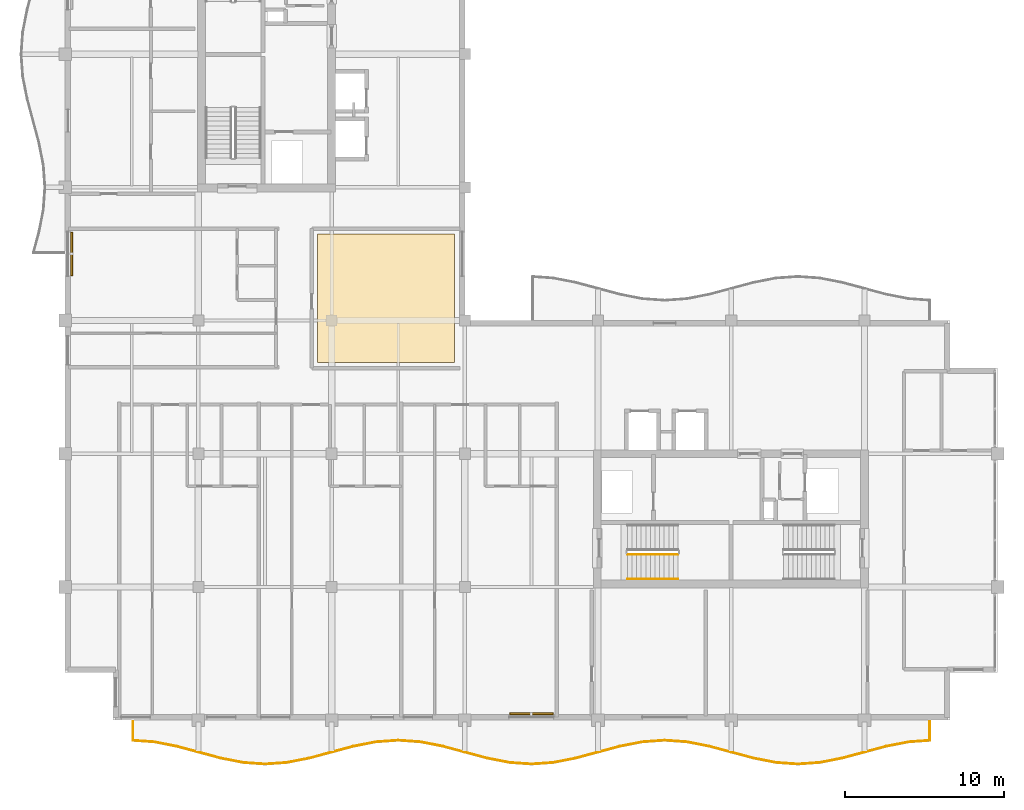
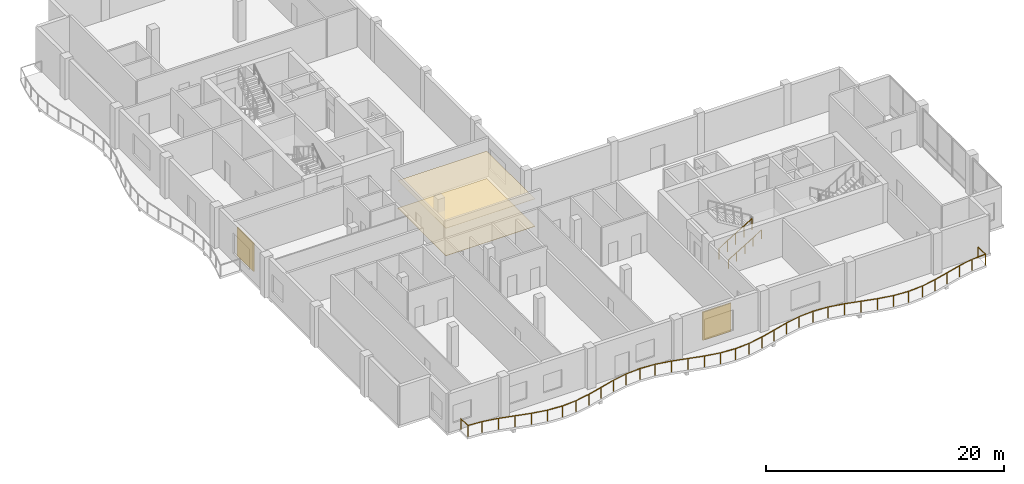
# One storey, part 13 of 16: 3 railings, 2 coverings, 2 shading devices.
"""IFC4 building model written with IfcOpenShell, lengths in metres."""

from ifc_helpers import new_model, si_unit, direction, frame, origin, origin_2d, place, context, subcontext, project, spatial, polyline, rectangle, circle, outline, extrude, material, layer, layer_set, type_object, element, save


model = new_model("IFC4")

# Units and contexts
model_context = context("Model", 3, precision=1e-05, world=origin(), true_north=direction((0.0, 1.0)))
body_context = subcontext(model_context, "Body", "Model", "MODEL_VIEW")
ifc_project = project(units=[si_unit("LENGTHUNIT", "METRE"), si_unit("AREAUNIT", "SQUARE_METRE"), si_unit("VOLUMEUNIT", "CUBIC_METRE"), si_unit("PLANEANGLEUNIT", "RADIAN"), si_unit("MASSUNIT", "GRAM", prefix="KILO")], contexts=[model_context])

# Site, building, storey
site_placement = place(None, origin())
site = spatial("IfcSite", under=ifc_project, at=site_placement, CompositionType="ELEMENT")
building_placement = place(site_placement, origin())
building = spatial("IfcBuilding", under=site, at=building_placement, Name="Koriwani Terraces Tower", CompositionType="ELEMENT")
storey_placement = place(building_placement, frame((0.0, 0.0, 355.39990234375)))
storey = spatial("IfcBuildingStorey", under=building, at=storey_placement, Name="L88", CompositionType="ELEMENT", Elevation=355.39990234375)

# Coverings
ifc_material_1 = material(Name="Fire-Rated Acoustic Gypsum Partition", Category="masonry")
ifc_layer_1 = layer(ifc_material_1, 0.02490234375, Name="Fire-Rated Acoustic Gypsum Partition")
ifc_layer_set_1 = layer_set([ifc_layer_1], Name="Fire-Rated Acoustic Gypsum Partition")
covering_type_1 = type_object("IfcCoveringType", Name="CEILING_ACOUSTIC_GYPSUM", PredefinedType="CEILING", material=ifc_layer_set_1)
covering_1_placement = place(storey_placement, frame((0.0, 0.0, 2.8251953125)))
element("IfcCovering", 1, at=covering_1_placement, inside=storey, type_object=covering_type_1, Name="L88 Suspended Acoustic Gypsum Ceiling", PredefinedType="CEILING", context=body_context, shape_type="SweptSolid", body=[
    extrude(outline(polyline([(24.300048828125, 30.949951171875), (24.300048828125, 39.050048828125), (32.949951171875, 39.050048828125), (32.949951171875, 30.949951171875), (24.300048828125, 30.949951171875)])), origin(), (0.0, 0.0, 1.0), 0.02490234375),
])
ifc_material_2 = material(Name="Polished Andean Slate Flooring", Category="masonry")
ifc_layer_2 = layer(ifc_material_2, 0.030029296875, Name="Polished Andean Slate Flooring")
ifc_layer_set_2 = layer_set([ifc_layer_2], Name="Polished Andean Slate Flooring")
covering_type_2 = type_object("IfcCoveringType", Name="FLOORING_ANDEAN_STONE", PredefinedType="FLOORING", material=ifc_layer_set_2)
covering_2_placement = place(storey_placement, origin())
element("IfcCovering", 2, at=covering_2_placement, inside=storey, type_object=covering_type_2, Name="L88 Polished Andean Slate Floor Finish", PredefinedType="FLOORING", context=body_context, shape_type="SweptSolid", body=[
    extrude(outline(polyline([(24.300048828125, 30.949951171875), (24.300048828125, 39.050048828125), (32.949951171875, 39.050048828125), (32.949951171875, 30.949951171875), (24.300048828125, 30.949951171875)])), origin(), (0.0, 0.0, 1.0), 0.030029296875),
])

# Railings
ifc_material_3 = material(Name="Steel ASTM A572 Grade 50", Category="steel")
railing_type_1 = type_object("IfcRailingType", Name="GUARD_BALUSTRADE_1150", PredefinedType="BALUSTRADE", material=ifc_material_3)
railing_1_placement = place(storey_placement, frame((12.679931640625, 8.320068359375, 0.0)))
element("IfcRailing", 3, at=railing_1_placement, inside=storey, type_object=railing_type_1, Name="L88 Balcony Perimeter Safety Balustrade (S)", PredefinedType="BALUSTRADE", context=body_context, shape_type="SweptSolid", body=[
    extrude(circle(Radius=0.02392578125, at=origin_2d()), frame((0.0, 0.0, 1.1259765625), z_axis=(0.0, -1.0, 0.0), x_axis=(1.0, 0.0, 0.0)), (0.0, 0.0, 1.0), 1.195556640625),
    extrude(circle(Radius=0.02392578125, at=origin_2d()), frame((0.0, -1.195556640625, 1.1259765625), z_axis=(0.997410163072, -0.071923338365, 0.0), x_axis=(0.071923338365, 0.997410163072, 0.0)), (0.0, 0.0, 1.0), 1.333984375),
    extrude(circle(Radius=0.02392578125, at=origin_2d()), frame((1.33056640625, -1.29150390625, 1.1259765625), z_axis=(0.981358469957, -0.192186246762, 0.0), x_axis=(0.192186246762, 0.981358469957, 0.0)), (0.0, 0.0, 1.0), 1.434326171875),
    extrude(circle(Radius=0.02392578125, at=origin_2d()), frame((2.738037109375, -1.567138671875, 1.1259765625), z_axis=(0.96594917914, -0.258731875344, 0.0), x_axis=(0.258731875344, 0.96594917914, 0.0)), (0.0, 0.0, 1.0), 2.898681640625),
    extrude(circle(Radius=0.02392578125, at=origin_2d()), frame((5.5380859375, -2.317138671875, 1.1259765625), z_axis=(0.981327760125, -0.192342993657, 0.0), x_axis=(0.192342993657, 0.981327760125, 0.0)), (0.0, 0.0, 1.0), 1.419189453125),
    extrude(circle(Radius=0.02392578125, at=origin_2d()), frame((6.9306640625, -2.590087890625, 1.1259765625), z_axis=(0.997427466293, -0.07168297904, 0.0), x_axis=(0.07168297904, 0.997427466293, 0.0)), (0.0, 0.0, 1.0), 1.39306640625),
    extrude(circle(Radius=0.02392578125, at=origin_2d()), frame((8.320068359375, -2.68994140625, 1.1259765625), z_axis=(0.997427466293, 0.07168297904, 0.0), x_axis=(-0.07168297904, 0.997427466293, 0.0)), (0.0, 0.0, 1.0), 1.39306640625),
    extrude(circle(Radius=0.02392578125, at=origin_2d()), frame((9.70947265625, -2.590087890625, 1.1259765625), z_axis=(0.981327760125, 0.192342993657, 0.0), x_axis=(-0.192342993657, 0.981327760125, 0.0)), (0.0, 0.0, 1.0), 1.419189453125),
    extrude(circle(Radius=0.02392578125, at=origin_2d()), frame((11.10205078125, -2.317138671875, 1.1259765625), z_axis=(0.96594917914, 0.258731875344, 0.0), x_axis=(-0.258731875344, 0.96594917914, 0.0)), (0.0, 0.0, 1.0), 2.898681640625),
    extrude(circle(Radius=0.02392578125, at=origin_2d()), frame((13.902099609375, -1.567138671875, 1.1259765625), z_axis=(0.981358469957, 0.192186246762, 0.0), x_axis=(-0.192186246762, 0.981358469957, 0.0)), (0.0, 0.0, 1.0), 1.434326171875),
    extrude(circle(Radius=0.02392578125, at=origin_2d()), frame((15.3095703125, -1.29150390625, 1.1259765625), z_axis=(0.997429695692, 0.071651951482, 0.0), x_axis=(-0.071651951482, 0.997429695692, 0.0)), (0.0, 0.0, 1.0), 1.4140625),
    extrude(circle(Radius=0.02392578125, at=origin_2d()), frame((16.719970703125, -1.190185546875, 1.1259765625), z_axis=(0.997430581876, -0.071639614309, 0.0), x_axis=(0.071639614309, 0.997430581876, 0.0)), (0.0, 0.0, 1.0), 1.414306640625),
    extrude(circle(Radius=0.02392578125, at=origin_2d()), frame((18.130615234375, -1.29150390625, 1.1259765625), z_axis=(0.981358469957, -0.192186246762, 0.0), x_axis=(0.192186246762, 0.981358469957, 0.0)), (0.0, 0.0, 1.0), 1.434326171875),
    extrude(circle(Radius=0.02392578125, at=origin_2d()), frame((19.5380859375, -1.567138671875, 1.1259765625), z_axis=(0.96594917914, -0.258731875344, 0.0), x_axis=(0.258731875344, 0.96594917914, 0.0)), (0.0, 0.0, 1.0), 2.898681640625),
    extrude(circle(Radius=0.02392578125, at=origin_2d()), frame((22.338134765625, -2.317138671875, 1.1259765625), z_axis=(0.981327760125, -0.192342993657, 0.0), x_axis=(0.192342993657, 0.981327760125, 0.0)), (0.0, 0.0, 1.0), 1.419189453125),
    extrude(circle(Radius=0.02392578125, at=origin_2d()), frame((23.730712890625, -2.590087890625, 1.1259765625), z_axis=(0.997427466293, -0.07168297904, 0.0), x_axis=(0.07168297904, 0.997427466293, 0.0)), (0.0, 0.0, 1.0), 1.39306640625),
    extrude(circle(Radius=0.02392578125, at=origin_2d()), frame((25.1201171875, -2.68994140625, 1.1259765625), z_axis=(0.997427466293, 0.07168297904, 0.0), x_axis=(-0.07168297904, 0.997427466293, 0.0)), (0.0, 0.0, 1.0), 1.39306640625),
    extrude(circle(Radius=0.02392578125, at=origin_2d()), frame((26.509521484375, -2.590087890625, 1.1259765625), z_axis=(0.981321393675, 0.19237547223, 0.0), x_axis=(-0.19237547223, 0.981321393675, 0.0)), (0.0, 0.0, 1.0), 1.4189453125),
    extrude(circle(Radius=0.02392578125, at=origin_2d()), frame((27.90185546875, -2.317138671875, 1.1259765625), z_axis=(0.965954816498, 0.258710827923, 0.0), x_axis=(-0.258710827923, 0.965954816498, 0.0)), (0.0, 0.0, 1.0), 2.89892578125),
    extrude(circle(Radius=0.02392578125, at=origin_2d()), frame((30.7021484375, -1.567138671875, 1.1259765625), z_axis=(0.981352180954, 0.192218357442, 0.0), x_axis=(-0.192218357442, 0.981352180954, 0.0)), (0.0, 0.0, 1.0), 1.43408203125),
    extrude(circle(Radius=0.02392578125, at=origin_2d()), frame((32.109375, -1.29150390625, 1.1259765625), z_axis=(0.997430581876, 0.071639614309, 0.0), x_axis=(-0.071639614309, 0.997430581876, 0.0)), (0.0, 0.0, 1.0), 1.414306640625),
    extrude(circle(Radius=0.02392578125, at=origin_2d()), frame((33.52001953125, -1.190185546875, 1.1259765625), z_axis=(0.997430581876, -0.071639614309, 0.0), x_axis=(0.071639614309, 0.997430581876, 0.0)), (0.0, 0.0, 1.0), 1.414306640625),
    extrude(circle(Radius=0.02392578125, at=origin_2d()), frame((34.9306640625, -1.29150390625, 1.1259765625), z_axis=(0.981358469957, -0.192186246762, 0.0), x_axis=(0.192186246762, 0.981358469957, 0.0)), (0.0, 0.0, 1.0), 1.434326171875),
    extrude(circle(Radius=0.02392578125, at=origin_2d()), frame((36.338134765625, -1.567138671875, 1.1259765625), z_axis=(0.96594917914, -0.258731875344, 0.0), x_axis=(0.258731875344, 0.96594917914, 0.0)), (0.0, 0.0, 1.0), 2.898681640625),
    extrude(circle(Radius=0.02392578125, at=origin_2d()), frame((39.13818359375, -2.317138671875, 1.1259765625), z_axis=(0.981327760125, -0.192342993657, 0.0), x_axis=(0.192342993657, 0.981327760125, 0.0)), (0.0, 0.0, 1.0), 1.419189453125),
    extrude(circle(Radius=0.02392578125, at=origin_2d()), frame((40.53076171875, -2.590087890625, 1.1259765625), z_axis=(0.997427466293, -0.07168297904, 0.0), x_axis=(0.07168297904, 0.997427466293, 0.0)), (0.0, 0.0, 1.0), 1.39306640625),
    extrude(circle(Radius=0.02392578125, at=origin_2d()), frame((41.920166015625, -2.68994140625, 1.1259765625), z_axis=(0.997427466293, 0.07168297904, 0.0), x_axis=(-0.07168297904, 0.997427466293, 0.0)), (0.0, 0.0, 1.0), 1.39306640625),
    extrude(circle(Radius=0.02392578125, at=origin_2d()), frame((43.3095703125, -2.590087890625, 1.1259765625), z_axis=(0.981321393675, 0.19237547223, 0.0), x_axis=(-0.19237547223, 0.981321393675, 0.0)), (0.0, 0.0, 1.0), 1.4189453125),
    extrude(circle(Radius=0.02392578125, at=origin_2d()), frame((44.701904296875, -2.317138671875, 1.1259765625), z_axis=(0.96594917914, 0.258731875344, 0.0), x_axis=(-0.258731875344, 0.96594917914, 0.0)), (0.0, 0.0, 1.0), 2.898681640625),
    extrude(circle(Radius=0.02392578125, at=origin_2d()), frame((47.501953125, -1.567138671875, 1.1259765625), z_axis=(0.981358469957, 0.192186246762, 0.0), x_axis=(-0.192186246762, 0.981358469957, 0.0)), (0.0, 0.0, 1.0), 1.434326171875),
    extrude(circle(Radius=0.02392578125, at=origin_2d()), frame((48.909423828125, -1.29150390625, 1.1259765625), z_axis=(0.997410163072, 0.071923338365, 0.0), x_axis=(-0.071923338365, 0.997410163072, 0.0)), (0.0, 0.0, 1.0), 1.333984375),
    extrude(circle(Radius=0.02392578125, at=origin_2d()), frame((50.239990234375, -1.195556640625, 1.1259765625), z_axis=(0.0, 1.0, 0.0), x_axis=(-1.0, 0.0, 0.0)), (0.0, 0.0, 1.0), 1.195556640625),
    extrude(circle(Radius=0.02099609375, at=origin_2d()), origin(), (0.0, 0.0, 1.0), 1.101806640625),
    extrude(circle(Radius=0.02099609375, at=origin_2d()), frame((0.0, -1.195556640625, 0.0)), (0.0, 0.0, 1.0), 1.101806640625),
    extrude(circle(Radius=0.02099609375, at=origin_2d()), frame((1.33056640625, -1.29150390625, 0.0)), (0.0, 0.0, 1.0), 1.101806640625),
    extrude(circle(Radius=0.02099609375, at=origin_2d()), frame((2.738037109375, -1.567138671875, 0.0)), (0.0, 0.0, 1.0), 1.101806640625),
    extrude(circle(Radius=0.02099609375, at=origin_2d()), frame((4.13818359375, -1.942138671875, 0.0)), (0.0, 0.0, 1.0), 1.101806640625),
    extrude(circle(Radius=0.02099609375, at=origin_2d()), frame((5.5380859375, -2.317138671875, 0.0)), (0.0, 0.0, 1.0), 1.101806640625),
    extrude(circle(Radius=0.02099609375, at=origin_2d()), frame((6.9306640625, -2.590087890625, 0.0)), (0.0, 0.0, 1.0), 1.101806640625),
    extrude(circle(Radius=0.02099609375, at=origin_2d()), frame((8.320068359375, -2.68994140625, 0.0)), (0.0, 0.0, 1.0), 1.101806640625),
    extrude(circle(Radius=0.02099609375, at=origin_2d()), frame((9.70947265625, -2.590087890625, 0.0)), (0.0, 0.0, 1.0), 1.101806640625),
    extrude(circle(Radius=0.02099609375, at=origin_2d()), frame((11.10205078125, -2.317138671875, 0.0)), (0.0, 0.0, 1.0), 1.101806640625),
    extrude(circle(Radius=0.02099609375, at=origin_2d()), frame((12.501953125, -1.942138671875, 0.0)), (0.0, 0.0, 1.0), 1.101806640625),
    extrude(circle(Radius=0.02099609375, at=origin_2d()), frame((13.902099609375, -1.567138671875, 0.0)), (0.0, 0.0, 1.0), 1.101806640625),
    extrude(circle(Radius=0.02099609375, at=origin_2d()), frame((15.3095703125, -1.29150390625, 0.0)), (0.0, 0.0, 1.0), 1.101806640625),
    extrude(circle(Radius=0.02099609375, at=origin_2d()), frame((16.719970703125, -1.190185546875, 0.0)), (0.0, 0.0, 1.0), 1.101806640625),
    extrude(circle(Radius=0.02099609375, at=origin_2d()), frame((18.130615234375, -1.29150390625, 0.0)), (0.0, 0.0, 1.0), 1.101806640625),
    extrude(circle(Radius=0.02099609375, at=origin_2d()), frame((19.5380859375, -1.567138671875, 0.0)), (0.0, 0.0, 1.0), 1.101806640625),
    extrude(circle(Radius=0.02099609375, at=origin_2d()), frame((20.93798828125, -1.942138671875, 0.0)), (0.0, 0.0, 1.0), 1.101806640625),
    extrude(circle(Radius=0.02099609375, at=origin_2d()), frame((22.338134765625, -2.317138671875, 0.0)), (0.0, 0.0, 1.0), 1.101806640625),
    extrude(circle(Radius=0.02099609375, at=origin_2d()), frame((23.730712890625, -2.590087890625, 0.0)), (0.0, 0.0, 1.0), 1.101806640625),
    extrude(circle(Radius=0.02099609375, at=origin_2d()), frame((25.1201171875, -2.68994140625, 0.0)), (0.0, 0.0, 1.0), 1.101806640625),
    extrude(circle(Radius=0.02099609375, at=origin_2d()), frame((26.509521484375, -2.590087890625, 0.0)), (0.0, 0.0, 1.0), 1.101806640625),
    extrude(circle(Radius=0.02099609375, at=origin_2d()), frame((27.90185546875, -2.317138671875, 0.0)), (0.0, 0.0, 1.0), 1.101806640625),
    extrude(circle(Radius=0.02099609375, at=origin_2d()), frame((29.302001953125, -1.942138671875, 0.0)), (0.0, 0.0, 1.0), 1.101806640625),
    extrude(circle(Radius=0.02099609375, at=origin_2d()), frame((30.7021484375, -1.567138671875, 0.0)), (0.0, 0.0, 1.0), 1.101806640625),
    extrude(circle(Radius=0.02099609375, at=origin_2d()), frame((32.109375, -1.29150390625, 0.0)), (0.0, 0.0, 1.0), 1.101806640625),
    extrude(circle(Radius=0.02099609375, at=origin_2d()), frame((33.52001953125, -1.190185546875, 0.0)), (0.0, 0.0, 1.0), 1.101806640625),
    extrude(circle(Radius=0.02099609375, at=origin_2d()), frame((34.9306640625, -1.29150390625, 0.0)), (0.0, 0.0, 1.0), 1.101806640625),
    extrude(circle(Radius=0.02099609375, at=origin_2d()), frame((36.338134765625, -1.567138671875, 0.0)), (0.0, 0.0, 1.0), 1.101806640625),
    extrude(circle(Radius=0.02099609375, at=origin_2d()), frame((37.73828125, -1.942138671875, 0.0)), (0.0, 0.0, 1.0), 1.101806640625),
    extrude(circle(Radius=0.02099609375, at=origin_2d()), frame((39.13818359375, -2.317138671875, 0.0)), (0.0, 0.0, 1.0), 1.101806640625),
    extrude(circle(Radius=0.02099609375, at=origin_2d()), frame((40.53076171875, -2.590087890625, 0.0)), (0.0, 0.0, 1.0), 1.101806640625),
    extrude(circle(Radius=0.02099609375, at=origin_2d()), frame((41.920166015625, -2.68994140625, 0.0)), (0.0, 0.0, 1.0), 1.101806640625),
    extrude(circle(Radius=0.02099609375, at=origin_2d()), frame((43.3095703125, -2.590087890625, 0.0)), (0.0, 0.0, 1.0), 1.101806640625),
    extrude(circle(Radius=0.02099609375, at=origin_2d()), frame((44.701904296875, -2.317138671875, 0.0)), (0.0, 0.0, 1.0), 1.101806640625),
    extrude(circle(Radius=0.02099609375, at=origin_2d()), frame((46.10205078125, -1.942138671875, 0.0)), (0.0, 0.0, 1.0), 1.101806640625),
    extrude(circle(Radius=0.02099609375, at=origin_2d()), frame((47.501953125, -1.567138671875, 0.0)), (0.0, 0.0, 1.0), 1.101806640625),
    extrude(circle(Radius=0.02099609375, at=origin_2d()), frame((48.909423828125, -1.29150390625, 0.0)), (0.0, 0.0, 1.0), 1.101806640625),
    extrude(circle(Radius=0.02099609375, at=origin_2d()), frame((50.239990234375, -1.195556640625, 0.0)), (0.0, 0.0, 1.0), 1.101806640625),
    extrude(circle(Radius=0.02099609375, at=origin_2d()), frame((50.239990234375, 0.0, 0.0)), (0.0, 0.0, 1.0), 1.101806640625),
])
railing_type_2 = type_object("IfcRailingType", Name="GUARD_STAIR_WELL_1120", PredefinedType="GUARDRAIL", material=ifc_material_3)
railing_2_placement = place(storey_placement, frame((43.85009765625, 18.85009765625, 0.175048828125)))
element("IfcRailing", 4, at=railing_2_placement, inside=storey, type_object=railing_type_2, Name="L88 ST-E1 stair guard 1", PredefinedType="GUARDRAIL", context=body_context, shape_type="SweptSolid", body=[
    extrude(circle(Radius=0.02392578125, at=origin_2d()), frame((0.0, 0.0, 1.1259765625), z_axis=(0.856177665481, 0.0, 0.516681531633), x_axis=(0.0, 1.0, 0.0)), (0.0, 0.0, 1.0), 3.725830078125),
    extrude(circle(Radius=0.02099609375, at=origin_2d()), origin(), (0.0, 0.0, 1.0), 1.101806640625),
    extrude(circle(Radius=0.02099609375, at=origin_2d()), frame((0.79736328125, 0.0, 0.481201171875)), (0.0, 0.0, 1.0), 1.101806640625),
    extrude(circle(Radius=0.02099609375, at=origin_2d()), frame((1.594970703125, 0.0, 0.96240234375)), (0.0, 0.0, 1.0), 1.101806640625),
    extrude(circle(Radius=0.02099609375, at=origin_2d()), frame((2.392578125, 0.0, 1.44384765625)), (0.0, 0.0, 1.0), 1.101806640625),
    extrude(circle(Radius=0.02099609375, at=origin_2d()), frame((3.18994140625, 0.0, 1.925048828125)), (0.0, 0.0, 1.0), 1.101806640625),
])
railing_type_3 = type_object("IfcRailingType", Name="HANDRAIL_STAIR_920", PredefinedType="HANDRAIL", material=ifc_material_3)
railing_3_placement = place(storey_placement, frame((43.85009765625, 17.300048828125, 0.175048828125)))
element("IfcRailing", 5, at=railing_3_placement, inside=storey, type_object=railing_type_3, Name="L88 ST-E1 stair handrail 1", PredefinedType="HANDRAIL", context=body_context, shape_type="SweptSolid", body=[
    extrude(circle(Radius=0.02392578125, at=origin_2d()), frame((0.0, 0.0, 0.8759765625), z_axis=(0.856177665481, 0.0, 0.516681531633), x_axis=(0.0, 1.0, 0.0)), (0.0, 0.0, 1.0), 3.725830078125),
    extrude(circle(Radius=0.02099609375, at=origin_2d()), origin(), (0.0, 0.0, 1.0), 0.851806640625),
    extrude(circle(Radius=0.02099609375, at=origin_2d()), frame((0.79736328125, 0.0, 0.481201171875)), (0.0, 0.0, 1.0), 0.851806640625),
    extrude(circle(Radius=0.02099609375, at=origin_2d()), frame((1.594970703125, 0.0, 0.96240234375)), (0.0, 0.0, 1.0), 0.851806640625),
    extrude(circle(Radius=0.02099609375, at=origin_2d()), frame((2.392578125, 0.0, 1.44384765625)), (0.0, 0.0, 1.0), 0.851806640625),
    extrude(circle(Radius=0.02099609375, at=origin_2d()), frame((3.18994140625, 0.0, 1.925048828125)), (0.0, 0.0, 1.0), 0.851806640625),
])

# Shading devices
ifc_material_4 = material(Name="Extruded Terracotta Clay", Category="masonry")
ifc_layer_3 = layer(ifc_material_4, 0.1201171875, Name="Extruded Terracotta Clay")
ifc_layer_set_3 = layer_set([ifc_layer_3], Name="Extruded Terracotta Clay")
shading_device_type = type_object("IfcShadingDeviceType", Name="TERRACOTTA_BAGUETTE_SCREEN_2800", PredefinedType="USERDEFINED", material=ifc_layer_set_3)
for number, where, z_axis, x_axis, name in (
    (6, (8.804931640625, 37.800048828125, 0.53515625), (0.0, 0.0, 1.0), (0.0, 1.0, 0.0), "L88 Extruded Terracotta Baguette Screen (W-9)"),
    (7, (37.800048828125, 8.804931640625, 0.53515625), (0.0, 0.0, 1.0), (-1.0, 0.0, 0.0), "L88 Extruded Terracotta Baguette Screen (S-9)"),
):
    element("IfcShadingDevice", number, at=place(storey_placement, frame(where, z_axis=z_axis, x_axis=x_axis)), inside=storey, type_object=shading_device_type, Name=name, ObjectType="BAGUETTE", PredefinedType="USERDEFINED", context=body_context, shape_type="SweptSolid", body=[
        extrude(rectangle(XDim=2.760009765625, YDim=0.1201171875, at=origin_2d()), origin(), (0.0, 0.0, 1.0), 2.89990234375),
    ])

save(model, "model.ifc")
